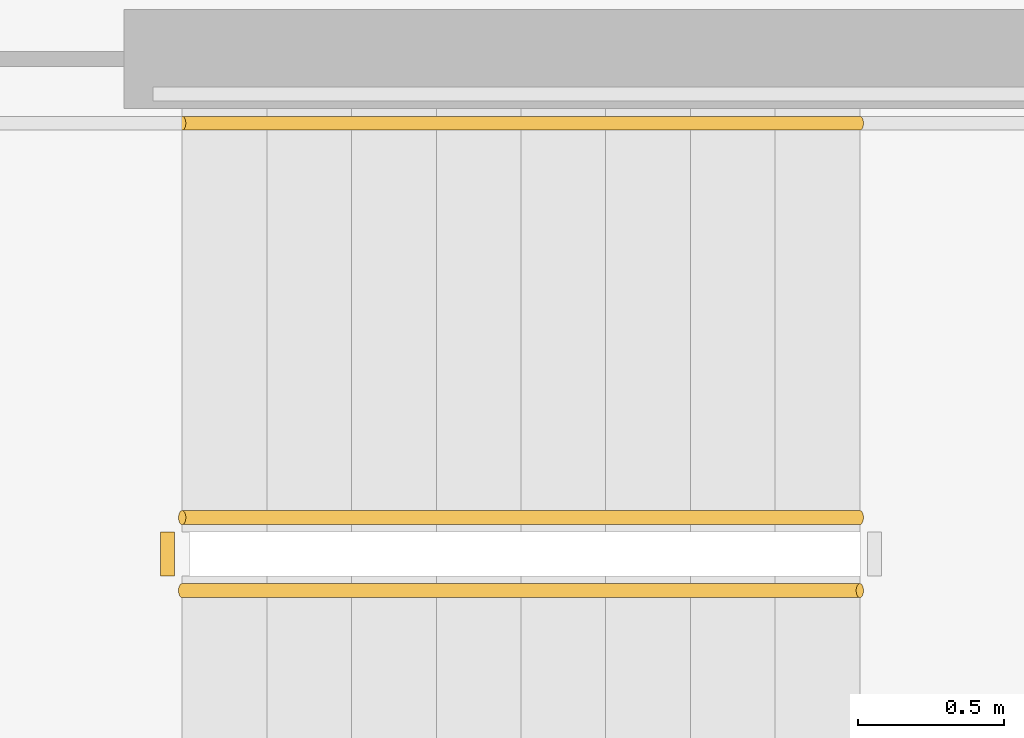
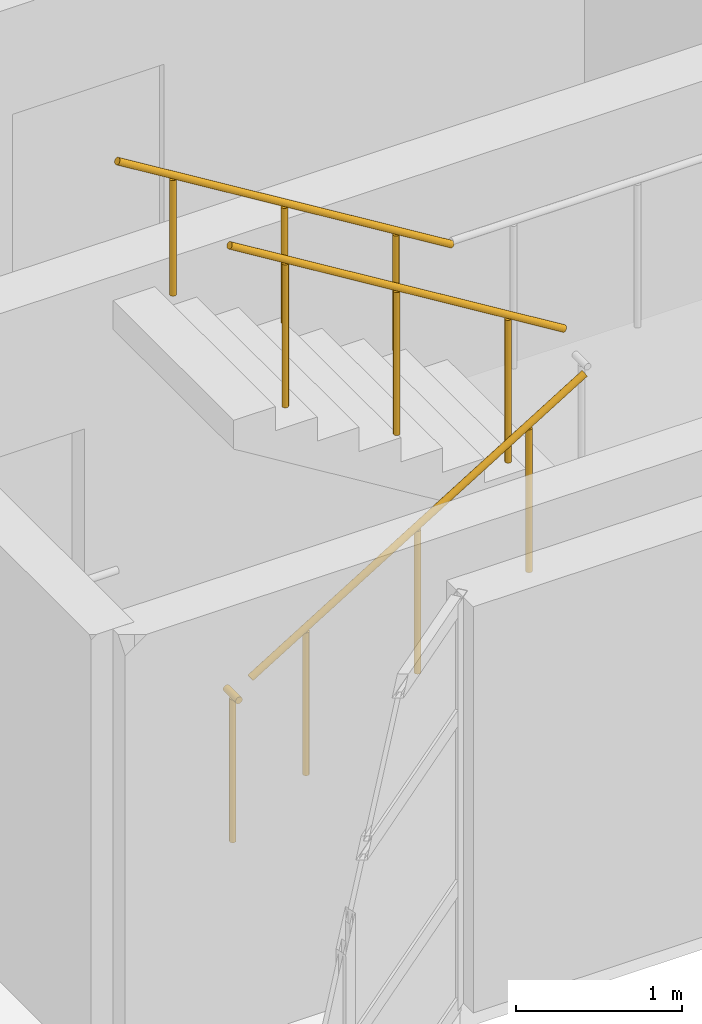
# One storey, part 43 of 49: 4 railings.
"""IFC4 building model written with IfcOpenShell, lengths in metres."""

from ifc_helpers import new_model, si_unit, direction, frame, origin, origin_2d, place, context, subcontext, project, spatial, circle, extrude, material, type_object, element, save


model = new_model("IFC4")

# Units and contexts
model_context = context("Model", 3, precision=1e-05, world=origin(), true_north=direction((0.0, 1.0)))
body_context = subcontext(model_context, "Body", "Model", "MODEL_VIEW")
ifc_project = project(units=[si_unit("LENGTHUNIT", "METRE"), si_unit("AREAUNIT", "SQUARE_METRE"), si_unit("VOLUMEUNIT", "CUBIC_METRE"), si_unit("PLANEANGLEUNIT", "RADIAN"), si_unit("MASSUNIT", "GRAM", prefix="KILO")], contexts=[model_context])

# Site, building, storey
site_placement = place(None, origin())
site = spatial("IfcSite", under=ifc_project, at=site_placement, CompositionType="ELEMENT")
building_placement = place(site_placement, origin())
building = spatial("IfcBuilding", under=site, at=building_placement, Name="Keldmere Railside Commons", CompositionType="ELEMENT")
storey_placement = place(building_placement, frame((0.0, 0.0, 29.760009765625)))
storey = spatial("IfcBuildingStorey", under=building, at=storey_placement, Name="L09", CompositionType="ELEMENT", Elevation=29.760009765625)

# Railings
ifc_material = material(Name="Steel F-24 (S235)", Category="steel")
railing_type_1 = type_object("IfcRailingType", Name="Stair Well Steel Guardrail 1100", PredefinedType="BALUSTRADE", material=ifc_material)
railing_1_placement = place(storey_placement, frame((131.699951171875, 102.0, 0.177734375)))
element("IfcRailing", 1, at=railing_1_placement, inside=storey, type_object=railing_type_1, Name="L09 ST-B2 stair guard 1", PredefinedType="BALUSTRADE", context=body_context, shape_type="SweptSolid", body=[
    extrude(circle(Radius=0.02392578125, at=origin_2d()), frame((0.0, 0.0, 1.076171875), z_axis=(0.852538067394, 0.0, 0.522665135287), x_axis=(0.0, 1.0, 0.0)), (0.0, 0.0, 1.0), 2.721435546875),
    extrude(circle(Radius=0.02099609375, at=origin_2d()), frame((0.38671875, 0.0, 0.237060546875)), (0.0, 0.0, 1.0), 1.048095703125),
    extrude(circle(Radius=0.02099609375, at=origin_2d()), frame((1.16015625, 0.0, 0.711181640625)), (0.0, 0.0, 1.0), 1.048095703125),
    extrude(circle(Radius=0.02099609375, at=origin_2d()), frame((1.933349609375, 0.0, 1.185302734375)), (0.0, 0.0, 1.0), 1.048095703125),
])
railing_2_placement = place(storey_placement, frame((134.02001953125, 102.25, 1.77783203125)))
element("IfcRailing", 2, at=railing_2_placement, inside=storey, type_object=railing_type_1, Name="L09 ST-B2 stair guard 6", PredefinedType="BALUSTRADE", context=body_context, shape_type="SweptSolid", body=[
    extrude(circle(Radius=0.02392578125, at=origin_2d()), frame((0.0, 0.0, 1.076171875), z_axis=(-0.852578041948, 0.0, 0.522599925744), x_axis=(0.0, -1.0, 0.0)), (0.0, 0.0, 1.0), 2.72119140625),
    extrude(circle(Radius=0.02099609375, at=origin_2d()), frame((-0.38671875, 0.0, 0.237060546875)), (0.0, 0.0, 1.0), 1.048095703125),
    extrude(circle(Radius=0.02099609375, at=origin_2d()), frame((-1.16015625, 0.0, 0.7109375)), (0.0, 0.0, 1.0), 1.048095703125),
    extrude(circle(Radius=0.02099609375, at=origin_2d()), frame((-1.933349609375, 0.0, 1.18505859375)), (0.0, 0.0, 1.0), 1.048095703125),
])
railing_3_placement = place(storey_placement, frame((131.64990234375, 102.050048828125, 0.0)))
element("IfcRailing", 3, at=railing_3_placement, inside=storey, type_object=railing_type_1, Name="L09 ST-B2 stair guard 7", PredefinedType="BALUSTRADE", context=body_context, shape_type="SweptSolid", body=[
    extrude(circle(Radius=0.02392578125, at=origin_2d()), frame((0.0, 0.0, 1.076171875), z_axis=(0.0, 1.0, 0.0), x_axis=(-1.0, 0.0, 0.0)), (0.0, 0.0, 1.0), 0.14990234375),
    extrude(circle(Radius=0.02099609375, at=origin_2d()), frame((0.0, 0.074951171875, 0.0)), (0.0, 0.0, 1.0), 1.048095703125),
])
railing_type_2 = type_object("IfcRailingType", Name="Wall-Mounted Tubular Steel Handrail 900", PredefinedType="HANDRAIL", material=ifc_material)
railing_4_placement = place(storey_placement, frame((134.02001953125, 103.60009765625, 1.77783203125)))
element("IfcRailing", 4, at=railing_4_placement, inside=storey, type_object=railing_type_2, Name="L09 ST-B2 stair handrail 2", PredefinedType="HANDRAIL", context=body_context, shape_type="SweptSolid", body=[
    extrude(circle(Radius=0.02392578125, at=origin_2d()), frame((0.0, 0.0, 0.8759765625), z_axis=(-0.852578041948, 0.0, 0.522599925744), x_axis=(0.0, -1.0, 0.0)), (0.0, 0.0, 1.0), 2.72119140625),
    extrude(circle(Radius=0.02099609375, at=origin_2d()), frame((-0.38671875, 0.0, 0.237060546875)), (0.0, 0.0, 1.0), 0.847900390625),
    extrude(circle(Radius=0.02099609375, at=origin_2d()), frame((-1.16015625, 0.0, 0.7109375)), (0.0, 0.0, 1.0), 0.847900390625),
    extrude(circle(Radius=0.02099609375, at=origin_2d()), frame((-1.933349609375, 0.0, 1.18505859375)), (0.0, 0.0, 1.0), 0.847900390625),
])

save(model, "model.ifc")
